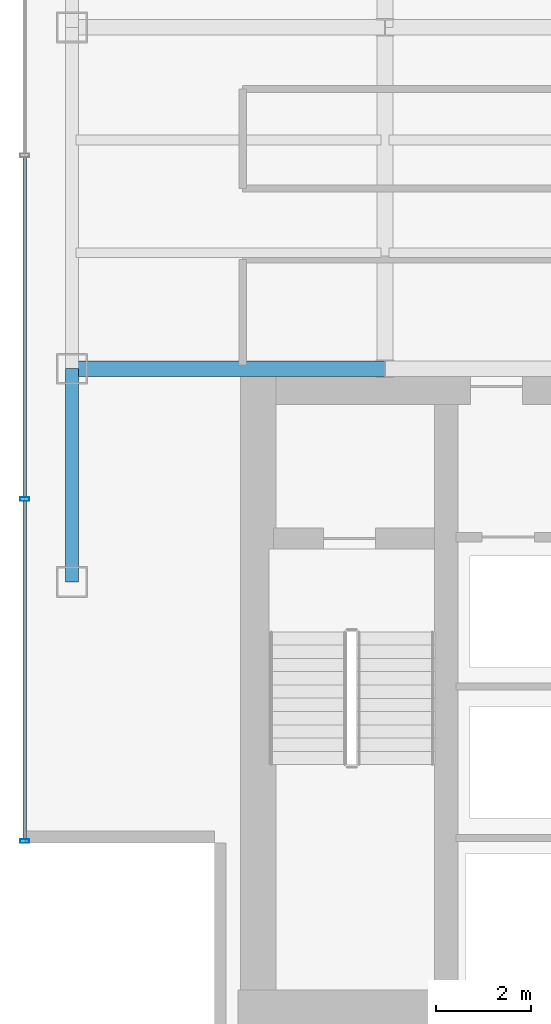
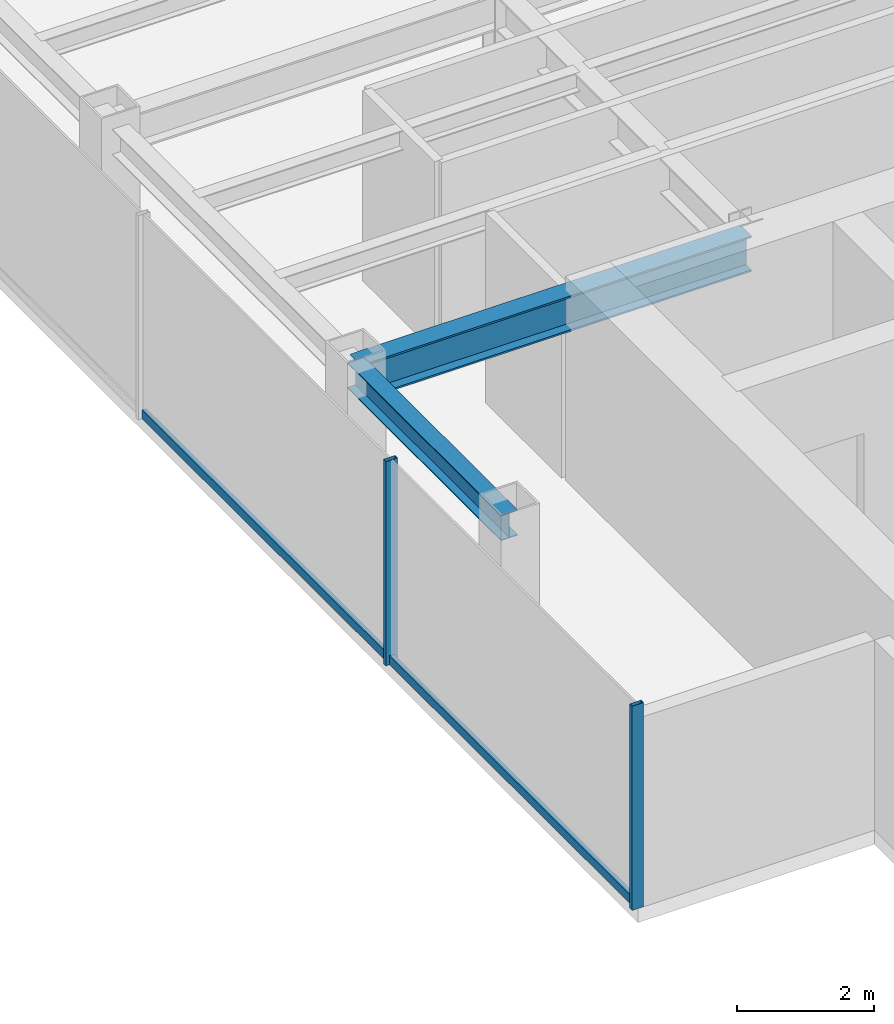
# One storey, part 3 of 25: 4 members, 2 beams, 1 element without a shape of its own.
"""IFC4 building model written with IfcOpenShell, lengths in metres."""

from ifc_helpers import new_model, si_unit, derived_unit, direction, frame, origin, origin_2d, place, context, subcontext, project, spatial, hollow_rectangle, i_section, extrude, source, transform, mapped, material, material_profile, profile_set, type_object, element, aggregate, save


model = new_model("IFC4")

# Units and contexts
model_context = context("Model", 3, precision=1e-05, world=origin(), true_north=direction((0.0, 1.0)))
body_context = subcontext(model_context, "Body", "Model", "MODEL_VIEW")
ifc_project = project(units=[si_unit("LENGTHUNIT", "METRE"), si_unit("AREAUNIT", "SQUARE_METRE"), si_unit("VOLUMEUNIT", "CUBIC_METRE"), si_unit("PLANEANGLEUNIT", "RADIAN"), si_unit("MASSUNIT", "GRAM", prefix="KILO"), derived_unit("THERMALTRANSMITTANCEUNIT", [(si_unit("POWERUNIT", "WATT"), 1), (si_unit("LENGTHUNIT", "METRE"), -2), (si_unit("THERMODYNAMICTEMPERATUREUNIT", "KELVIN"), -1)])], contexts=[model_context])

# Site, building, storey
site_placement = place(None, origin())
site = spatial("IfcSite", under=ifc_project, at=site_placement, CompositionType="ELEMENT")
building_placement = place(site_placement, origin())
building = spatial("IfcBuilding", under=site, at=building_placement, Name="Skarnbrae Concourse Arena and Tower", CompositionType="ELEMENT")
storey_placement = place(building_placement, frame((0.0, 0.0, 147.89990234375)))
storey = spatial("IfcBuildingStorey", under=building, at=storey_placement, Name="L37", CompositionType="ELEMENT", Elevation=147.89990234375)

# Beams
ifc_material_1 = material(Name="Steel CSA G40.21 350W", Category="steel")
ifc_material_profile_1 = material_profile(ifc_material_1, i_section(OverallWidth=0.3291015625, OverallDepth=0.635009765625, WebThickness=0.017822265625, FlangeThickness=0.031005859375, at=origin_2d()), Name="W610X241")
ifc_profile_set_1 = profile_set([ifc_material_profile_1], Name="Steel CSA G40.21 350W")
beam_type_1 = type_object("IfcBeamType", Name="BM-GIRD-W610X241", PredefinedType="BEAM", material=ifc_profile_set_1)
shared_shape_1 = source(origin(), body_context, "Body", "SweptSolid", [
    extrude(i_section(OverallWidth=0.3291015625, OverallDepth=0.635009765625, WebThickness=0.017822265625, FlangeThickness=0.031005859375, at=origin_2d()), origin(), (0.0, 0.0, 1.0), 6.60009765625),
])
beam_1_placement = place(storey_placement, frame((1.0, 14.0, 3.08251953125), z_axis=(1.0, 0.0, 0.0), x_axis=(0.0, 1.0, 0.0)))
element("IfcBeam", 1, at=beam_1_placement, inside=storey, type_object=beam_type_1, Name="L37 Primary E-W girder Y14.0-1", PredefinedType="BEAM", context=body_context, shape_type="MappedRepresentation", body=[
    mapped(shared_shape_1, transform((0.0, 0.0, 0.0))),
])
ifc_material_profile_2 = material_profile(ifc_material_1, i_section(OverallWidth=0.280029296875, OverallDepth=0.462890625, WebThickness=0.0107421875, FlangeThickness=0.017333984375, at=origin_2d()), Name="W460X113")
ifc_profile_set_2 = profile_set([ifc_material_profile_2], Name="Steel CSA G40.21 350W")
beam_type_2 = type_object("IfcBeamType", Name="BM-SPAN-W460X113", PredefinedType="SPANDREL", material=ifc_profile_set_2)
shared_shape_2 = source(origin(), body_context, "Body", "SweptSolid", [
    extrude(i_section(OverallWidth=0.280029296875, OverallDepth=0.462890625, WebThickness=0.0107421875, FlangeThickness=0.017333984375, at=origin_2d()), origin(), (0.0, 0.0, 1.0), 4.5),
])
beam_2_placement = place(storey_placement, frame((1.0, 9.5, 3.168701171875), z_axis=(0.0, 1.0, 0.0), x_axis=(-1.0, 0.0, 0.0)))
element("IfcBeam", 2, at=beam_2_placement, inside=storey, type_object=beam_type_2, Name="L37 Perimeter spandrel X1.0-1", PredefinedType="SPANDREL", context=body_context, shape_type="MappedRepresentation", body=[
    mapped(shared_shape_2, transform((0.0, 0.0, 0.0))),
])

# Curtain wall, members
ifc_material_2 = material(Name="Bronze anodised aluminium 6063-T6", Category="aluminium")
curtain_wall_type = type_object("IfcCurtainWallType", Name="CW-SYS-04-MIDZONE", PredefinedType="USERDEFINED", material=ifc_material_2)
curtain_wall_placement = place(storey_placement, origin())
curtain_wall = element("IfcCurtainWall", 3, at=curtain_wall_placement, inside=storey, type_object=curtain_wall_type, Name="L37 Unitised curtain wall CW-L37-E18", ObjectType="UNITISED CURTAIN WALL", PredefinedType="USERDEFINED")
ifc_material_profile_3 = material_profile(ifc_material_2, hollow_rectangle(XDim=0.074951171875, YDim=0.195068359375, WallThickness=0.00439453125, at=origin_2d()), Name="ALU-MULL-75X195")
ifc_profile_set_3 = profile_set([ifc_material_profile_3], Name="Bronze anodised aluminium 6063-T6")
member_type_1 = type_object("IfcMemberType", Name="CWM-CW-04", PredefinedType="MULLION", material=ifc_profile_set_3)
shared_shape_3 = source(origin(), body_context, "Body", "SweptSolid", [
    extrude(hollow_rectangle(XDim=0.074951171875, YDim=0.195068359375, WallThickness=0.00439453125, at=origin_2d()), origin(), (0.0, 0.0, 1.0), 3.650146484375),
])
member_1_placement = place(storey_placement, frame((0.0, 11.25, 0.0), z_axis=(0.0, 0.0, 1.0), x_axis=(0.0, -1.0, 0.0)))
member_1 = element("IfcMember", 4, at=member_1_placement, type_object=member_type_1, Name="CW-L37-E18 Mullion 4", PredefinedType="MULLION", context=body_context, shape_type="MappedRepresentation", body=[
    mapped(shared_shape_3, transform((0.0, 0.0, 0.0))),
])
member_2_placement = place(storey_placement, frame((0.0, 4.03759765625, 0.0), z_axis=(0.0, 0.0, 1.0), x_axis=(0.0, -1.0, 0.0)))
member_2 = element("IfcMember", 5, at=member_2_placement, type_object=member_type_1, Name="CW-L37-E18 Mullion 5", PredefinedType="MULLION", context=body_context, shape_type="MappedRepresentation", body=[
    mapped(shared_shape_3, transform((0.0, 0.0, 0.0))),
])
ifc_material_profile_4 = material_profile(ifc_material_2, hollow_rectangle(XDim=0.074951171875, YDim=0.159912109375, WallThickness=0.00439453125, at=origin_2d()), Name="ALU-TRAN-75X160")
ifc_profile_set_4 = profile_set([ifc_material_profile_4], Name="Bronze anodised aluminium 6063-T6")
member_type_2 = type_object("IfcMemberType", Name="CWT-CW-04", PredefinedType="USERDEFINED", material=ifc_profile_set_4)
shared_shape_4 = source(origin(), body_context, "Body", "SweptSolid", [
    extrude(hollow_rectangle(XDim=0.074951171875, YDim=0.159912109375, WallThickness=0.00439453125, at=origin_2d()), origin(), (0.0, 0.0, 1.0), 7.137451171875),
])
member_3_placement = place(storey_placement, frame((0.0, 11.21240234375, 0.080078125), z_axis=(0.0, -1.0, 0.0), x_axis=(1.0, 0.0, 0.0)))
member_3 = element("IfcMember", 6, at=member_3_placement, type_object=member_type_2, Name="CW-L37-E18 Transom 4", ObjectType="TRANSOM", PredefinedType="USERDEFINED", context=body_context, shape_type="MappedRepresentation", body=[
    mapped(shared_shape_4, transform((0.0, 0.0, 0.0))),
])
shared_shape_5 = source(origin(), body_context, "Body", "SweptSolid", [
    extrude(hollow_rectangle(XDim=0.074951171875, YDim=0.159912109375, WallThickness=0.00439453125, at=origin_2d()), origin(), (0.0, 0.0, 1.0), 7.1748046875),
])
member_4_placement = place(storey_placement, frame((0.0, 18.46240234375, 0.080078125), z_axis=(0.0, -1.0, 0.0), x_axis=(1.0, 0.0, 0.0)))
member_4 = element("IfcMember", 7, at=member_4_placement, type_object=member_type_2, Name="CW-L37-E18 Transom 3", ObjectType="TRANSOM", PredefinedType="USERDEFINED", context=body_context, shape_type="MappedRepresentation", body=[
    mapped(shared_shape_5, transform((0.0, 0.0, 0.0))),
])
aggregate(curtain_wall, [member_1, member_2, member_4, member_3])

save(model, "model.ifc")
